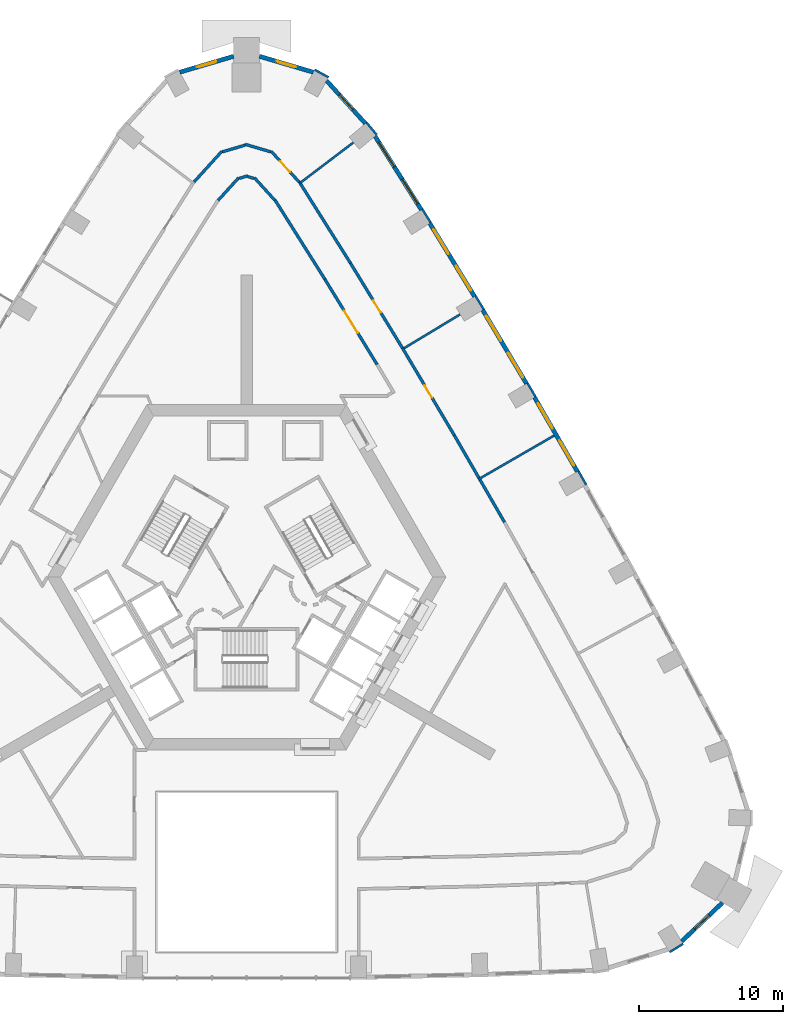
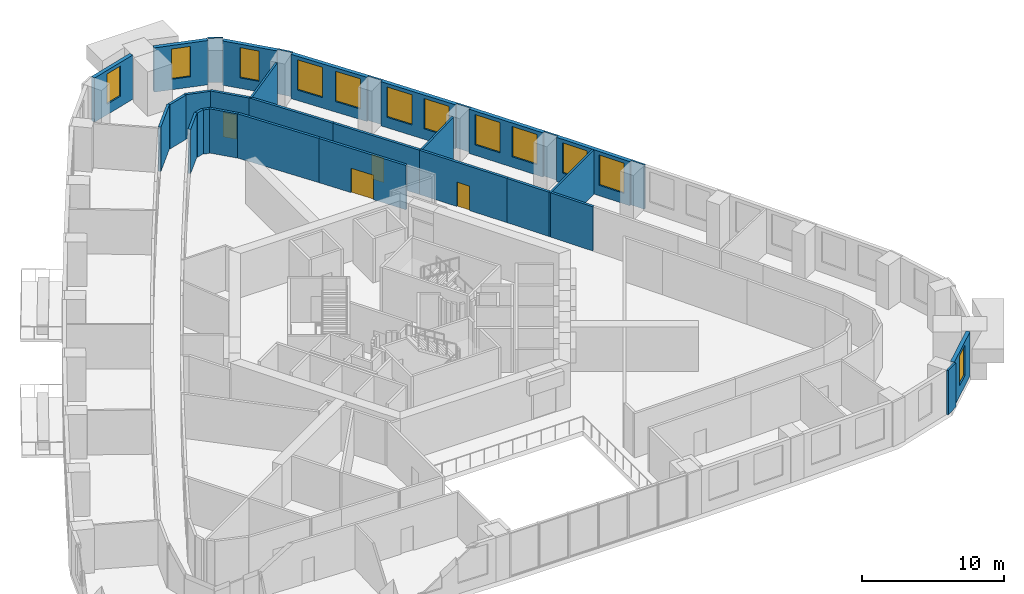
# One storey, part 10 of 15: 33 walls, 12 windows, 4 doors, 16 openings.
"""IFC4 building model written with IfcOpenShell, lengths in metres."""

import ifcopenshell
import ifcopenshell.guid

model = None  # the IFC model being written
_history = None  # IfcOwnerHistory: only IFC2X3 demands one
_inside = {}  # id of a spatial element -> (the spatial element, [elements in it])
_under = {}  # id of a project, library or spatial element -> (it, [spatial elements below it])
_declared = {}  # id of a project -> (the project, [libraries it declares])
_typed = {}  # id of a type object -> (the type object, [elements of that type])
_made_of = {}  # id of a material, layer set ... -> (it, [elements and type objects made of it])


def new_model(schema):
    """Start an empty IFC model of exactly this schema.

    Asked for "IFC4X3", IfcOpenShell would pick the latest addendum, in which some entities
    have other attributes; the version numbers below select the first issue.
    IFC2X3 requires an IfcOwnerHistory on every rooted entity: one is made here for all.
    """
    global model, _history
    if schema == "IFC4X3":
        model = ifcopenshell.file(schema_version=(4, 3, 0, 0))
    else:
        model = ifcopenshell.file(schema=schema)
    _inside.clear()
    _under.clear()
    _declared.clear()
    _typed.clear()
    _made_of.clear()
    _history = None
    if model.schema == "IFC2X3":
        org = make("IfcOrganization", Name="unknown")
        user = make(
            "IfcPersonAndOrganization",
            ThePerson=make("IfcPerson", FamilyName="unknown"),
            TheOrganization=org,
        )
        app = make(
            "IfcApplication",
            ApplicationDeveloper=org,
            Version="unknown",
            ApplicationFullName="unknown",
            ApplicationIdentifier="unknown",
        )
        _history = make(
            "IfcOwnerHistory",
            OwningUser=user,
            OwningApplication=app,
            ChangeAction="ADDED",
            CreationDate=0,
        )
    return model


def make(cls, **values):
    """One entity of the class cls with the attributes given. An attribute that is None is left unset."""
    return model.create_entity(
        cls, **{name: value for name, value in values.items() if value is not None}
    )


def rooted(cls, **values):
    """An entity with a GlobalId (a new one), such as an element, a storey or a relation."""
    return make(cls, GlobalId=ifcopenshell.guid.new(), OwnerHistory=_history, **values)


def si_unit(unit_type, name, prefix=None):
    """IfcSIUnit, for example si_unit("LENGTHUNIT", "METRE", prefix="MILLI")."""
    return make("IfcSIUnit", UnitType=unit_type, Prefix=prefix, Name=name)


def assignment(units):
    """IfcUnitAssignment: the units of a project."""
    return None if units is None else make("IfcUnitAssignment", Units=units)


def point(xyz):
    """IfcCartesianPoint."""
    return None if xyz is None else make("IfcCartesianPoint", Coordinates=xyz)


def direction(xyz):
    """IfcDirection."""
    return None if xyz is None else make("IfcDirection", DirectionRatios=xyz)


def frame(location, z_axis=None, x_axis=None):
    """IfcAxis2Placement3D, a coordinate frame: its origin and axes. An axis left out is left unset."""
    return make(
        "IfcAxis2Placement3D",
        Location=point(location),
        Axis=direction(z_axis),
        RefDirection=direction(x_axis),
    )


def frame_2d(location, x_axis=None):
    """IfcAxis2Placement2D, a coordinate frame in the plane: its origin and x axis."""
    return make(
        "IfcAxis2Placement2D", Location=point(location), RefDirection=direction(x_axis)
    )


def origin():
    """The frame at (0, 0, 0) with its axes left unset."""
    return frame((0.0, 0.0, 0.0))


def place(relative_to, where):
    """IfcLocalPlacement: puts the frame where relative to a parent placement (None: the world)."""
    return make(
        "IfcLocalPlacement", PlacementRelTo=relative_to, RelativePlacement=where
    )


def context(
    kind, dimensions, precision=None, world=None, true_north=None, identifier=None
):
    """IfcGeometricRepresentationContext, for example the 3D "Model" context."""
    return make(
        "IfcGeometricRepresentationContext",
        ContextIdentifier=identifier,
        ContextType=kind,
        CoordinateSpaceDimension=dimensions,
        Precision=precision,
        WorldCoordinateSystem=world,
        TrueNorth=true_north,
    )


def subcontext(parent, identifier, kind, view, scale=None):
    """IfcGeometricRepresentationSubContext, for example "Body" below "Model"."""
    return make(
        "IfcGeometricRepresentationSubContext",
        ContextIdentifier=identifier,
        ContextType=kind,
        ParentContext=parent,
        TargetScale=scale,
        TargetView=view,
    )


def project(units=None, contexts=None):
    """IfcProject with its units and contexts."""
    return rooted(
        "IfcProject",
        Name="project",
        RepresentationContexts=contexts,
        UnitsInContext=assignment(units),
    )


def spatial(cls, under=None, at=None, **own):
    """A site, building, storey or space (cls), placed at a placement, below another one or the project."""
    s = rooted(cls, ObjectPlacement=at, **own)
    if under is not None:
        _under.setdefault(under.id(), (under, []))[1].append(s)
    return s


def profile(cls, at=None, kind="AREA", **sizes):
    """A parametric profile (cls). Its sizes go by their IFC names, for example OverallWidth=200.0."""
    return make(cls, ProfileType=kind, Position=at, **sizes)


def rectangle(**sizes):
    """IfcRectangleProfileDef."""
    return profile("IfcRectangleProfileDef", **sizes)


def extrude(swept, where, along, depth):
    """IfcExtrudedAreaSolid: the profile swept, set in the frame where, extruded along a direction by depth."""
    return make(
        "IfcExtrudedAreaSolid",
        SweptArea=swept,
        Position=where,
        ExtrudedDirection=direction(along),
        Depth=depth,
    )


def shape(context_of_items, identifier, shape_type, items):
    """IfcShapeRepresentation: the items that make up one representation, for example the "Body"."""
    return make(
        "IfcShapeRepresentation",
        ContextOfItems=context_of_items,
        RepresentationIdentifier=identifier,
        RepresentationType=shape_type,
        Items=items,
    )


def material(Name=None, Category=None):
    """IfcMaterial."""
    return make("IfcMaterial", Name=Name, Category=Category)


def layer(
    of_material, thickness, ventilated=None, Name=None, Category=None, Priority=None
):
    """IfcMaterialLayer: one layer of a wall or slab, of a material (None: an air gap)."""
    return make(
        "IfcMaterialLayer",
        Material=of_material,
        LayerThickness=thickness,
        IsVentilated=ventilated,
        Name=Name,
        Category=Category,
        Priority=Priority,
    )


def layer_set(layers, Name=None):
    """IfcMaterialLayerSet."""
    return make("IfcMaterialLayerSet", MaterialLayers=layers, LayerSetName=Name)


def made_of(thing, what):
    """Note that an element or type object is made of a material, layer set ...; save() writes the relation."""
    if what is not None:
        _made_of.setdefault(what.id(), (what, []))[1].append(thing)
    return thing


def type_object(cls, material=None, **own):
    """A type object (cls), such as IfcWallType, which elements share."""
    return made_of(rooted(cls, **own), material)


def element(
    cls,
    number,
    at=None,
    inside=None,
    cuts=None,
    type_object=None,
    material=None,
    context=None,
    identifier="Body",
    shape_type=None,
    held_by="IfcProductDefinitionShape",
    body=None,
    shapes=None,
    **own,
):
    """One element of the class cls, such as IfcWall. Its Tag is "e" and its number.

    at: its placement. inside: the storey or other place that contains it. cuts: it is an
    opening in that element (IfcRelVoidsElement). A single representation is given by context,
    identifier, shape_type and body (its items); several are given by shapes. held_by: the class
    of the entity that holds the representations. save() writes the other relations.
    """
    e = rooted(cls, Tag="e%d" % number, ObjectPlacement=at, **own)
    if body is not None:
        shapes = [shape(context, identifier, shape_type, body)]
    if shapes is not None:
        e.Representation = make(held_by, Representations=shapes)
    if inside is not None:
        _inside.setdefault(inside.id(), (inside, []))[1].append(e)
    if cuts is not None:
        rooted(
            "IfcRelVoidsElement", RelatingBuildingElement=cuts, RelatedOpeningElement=e
        )
    if type_object is not None:
        _typed.setdefault(type_object.id(), (type_object, []))[1].append(e)
    return made_of(e, material)


def fill(opening, filler):
    """IfcRelFillsElement: the door or window that sits in an opening."""
    return rooted(
        "IfcRelFillsElement",
        RelatingOpeningElement=opening,
        RelatedBuildingElement=filler,
    )


def aggregate(whole, parts):
    """IfcRelAggregates: a whole, such as a stair, and the parts it consists of."""
    return rooted("IfcRelAggregates", RelatingObject=whole, RelatedObjects=parts)


def save(model, path):
    """Write the relations noted so far, then the file.

    IfcRelAggregates (storeys below a building ...), IfcRelContainedInSpatialStructure (elements
    in a storey), IfcRelDefinesByType, IfcRelAssociatesMaterial and IfcRelDeclares: one each for
    every whole, place, type object, material and project.
    """
    for whole, parts in _under.values():
        aggregate(whole, parts)
    for where, things in _inside.values():
        rooted(
            "IfcRelContainedInSpatialStructure",
            RelatedElements=things,
            RelatingStructure=where,
        )
    for kind, things in _typed.values():
        rooted("IfcRelDefinesByType", RelatedObjects=things, RelatingType=kind)
    for what, things in _made_of.values():
        rooted("IfcRelAssociatesMaterial", RelatedObjects=things, RelatingMaterial=what)
    for by, libraries in _declared.values():
        rooted("IfcRelDeclares", RelatingContext=by, RelatedDefinitions=libraries)
    model.write(path)


model = new_model("IFC4")

# Units and contexts
model_context = context("Model", 3, precision=1e-05, world=origin(), true_north=direction((0.0, 1.0)))
body_context = subcontext(model_context, "Body", "Model", "MODEL_VIEW")
ifc_project = project(units=[si_unit("LENGTHUNIT", "METRE"), si_unit("AREAUNIT", "SQUARE_METRE"), si_unit("VOLUMEUNIT", "CUBIC_METRE"), si_unit("PLANEANGLEUNIT", "RADIAN"), si_unit("MASSUNIT", "GRAM", prefix="KILO")], contexts=[model_context])

# Site, building, storey
site_placement = place(None, origin())
site = spatial("IfcSite", under=ifc_project, at=site_placement, CompositionType="ELEMENT")
building_placement = place(site_placement, origin())
building = spatial("IfcBuilding", under=site, at=building_placement, Name="Entoto Arch Interchange Tower", CompositionType="ELEMENT")
storey_placement = place(building_placement, frame((0.0, 0.0, 171.800048828125)))
storey = spatial("IfcBuildingStorey", under=building, at=storey_placement, Name="L38", CompositionType="ELEMENT", Elevation=171.800048828125)

# Walls
ifc_material_1 = material(Name="Gypsum board partition on steel studs", Category="steel")
ifc_layer_1 = layer(ifc_material_1, 0.14990234375)
ifc_layer_set_1 = layer_set([ifc_layer_1], Name="Gypsum board partition on steel studs")
wall_type_1 = type_object("IfcWallType", Name="PARTITION 150", PredefinedType="PARTITIONING", material=ifc_layer_set_1)
wall_1_placement = place(storey_placement, frame((16.097900390625, 9.294921875, 0.0), z_axis=(0.0, 0.0, 1.0), x_axis=(0.866109615698, 0.499854112313, 0.0)))
element("IfcWall", 1, at=wall_1_placement, inside=storey, type_object=wall_type_1, Name="wall:L38:p137", PredefinedType="PARTITIONING", context=body_context, shape_type="SweptSolid", body=[
    extrude(rectangle(XDim=6.099853515625, YDim=0.14990234375, at=frame_2d((3.0498046875, 0.0))), origin(), (0.0, 0.0, 1.0), 3.800048828125),
])
wall_2_placement = place(storey_placement, frame((10.95703125, 18.4208984375, 0.0), z_axis=(0.0, 0.0, 1.0), x_axis=(0.85624931053, 0.516562792134, 0.0)))
element("IfcWall", 2, at=wall_2_placement, inside=storey, type_object=wall_type_1, Name="wall:L38:p138", PredefinedType="PARTITIONING", context=body_context, shape_type="SweptSolid", body=[
    extrude(rectangle(XDim=4.530029296875, YDim=0.14990234375, at=frame_2d((2.26513671875, 0.0))), origin(), (0.0, 0.0, 1.0), 3.800048828125),
])
wall_3_placement = place(storey_placement, frame((3.716064453125, 29.89892578125, 0.0), z_axis=(0.0, 0.0, 1.0), x_axis=(0.796435085709, 0.604724031481, 0.0)))
element("IfcWall", 3, at=wall_3_placement, inside=storey, type_object=wall_type_1, Name="wall:L38:p139", PredefinedType="PARTITIONING", context=body_context, shape_type="SweptSolid", body=[
    extrude(rectangle(XDim=4.6533203125, YDim=0.14990234375, at=frame_2d((2.32666015625, 0.0))), origin(), (0.0, 0.0, 1.0), 3.800048828125),
])

# Wall, opening, door
ifc_layer_2 = layer(ifc_material_1, 0.199951171875)
ifc_layer_set_2 = layer_set([ifc_layer_2], Name="Gypsum board partition on steel studs")
wall_type_2 = type_object("IfcWallType", Name="PARTITION 200", PredefinedType="PARTITIONING", material=ifc_layer_set_2)
wall_4_placement = place(storey_placement, frame((9.072998046875, 17.284912109375, 0.0), z_axis=(0.0, 0.0, 1.0), x_axis=(-0.522108536257, 0.85287905143, 0.0)))
wall_4 = element("IfcWall", 4, at=wall_4_placement, inside=storey, type_object=wall_type_2, Name="wall:L38:p009", PredefinedType="PARTITIONING", context=body_context, shape_type="SweptSolid", body=[
    extrude(rectangle(XDim=6.95654296875, YDim=0.199951171875, at=frame_2d((3.478271484375, 0.0))), origin(), (0.0, 0.0, 1.0), 3.800048828125),
])
opening_1_placement = place(wall_4_placement, frame((2.577880859375, 0.0, 0.0)))
opening_1 = element("IfcOpeningElement", 5, at=opening_1_placement, cuts=wall_4, Name="Opening L38-D16", PredefinedType="OPENING", context=body_context, shape_type="SweptSolid", body=[
    extrude(rectangle(XDim=1.800048828125, YDim=2.10009765625, at=frame_2d((0.89990234375, 1.050048828125))), frame((0.0, 0.10986328125, 0.0), z_axis=(0.0, -1.0, 0.0), x_axis=(1.0, 0.0, 0.0)), (0.0, 0.0, 1.0), 0.219970703125),
])
ifc_material_2 = material(Name="Timber door leaf in Steel S235 frame", Category="steel")
door_type_1 = type_object("IfcDoorType", Name="DOOR DD-18 1800x2100", OperationType="DOUBLE_DOOR_SINGLE_SWING", PredefinedType="DOOR", material=ifc_material_2)
door_1_placement = place(opening_1_placement, origin())
door_1 = element("IfcDoor", 6, at=door_1_placement, inside=storey, type_object=door_type_1, Name="door:L38:16", OperationType="DOUBLE_DOOR_SINGLE_SWING", OverallHeight=2.10009765625, OverallWidth=1.800048828125, PredefinedType="DOOR", context=body_context, shape_type="SweptSolid", body=[
    extrude(rectangle(XDim=1.800048828125, YDim=2.10009765625, at=frame_2d((0.89990234375, 1.050048828125))), frame((0.0, 0.02490234375, 0.0), z_axis=(0.0, -1.0, 0.0), x_axis=(1.0, 0.0, 0.0)), (0.0, 0.0, 1.0), 0.050048828125),
])
fill(opening_1, door_1)

# Walls
wall_5_placement = place(storey_placement, frame((5.44091796875, 23.218017578125, 0.0), z_axis=(0.0, 0.0, 1.0), x_axis=(-0.532786324951, 0.846249804694, 0.0)))
element("IfcWall", 7, at=wall_5_placement, inside=storey, type_object=wall_type_2, Name="wall:L38:p010", PredefinedType="PARTITIONING", context=body_context, shape_type="SweptSolid", body=[
    extrude(rectangle(XDim=6.488525390625, YDim=0.199951171875, at=frame_2d((3.244140625, 0.0))), origin(), (0.0, 0.0, 1.0), 3.800048828125),
])
wall_6_placement = place(storey_placement, frame((1.969970703125, 28.697998046875, 0.0), z_axis=(0.0, 0.0, 1.0), x_axis=(-0.671753081184, 0.740775133168, 0.0)))
element("IfcWall", 8, at=wall_6_placement, inside=storey, type_object=wall_type_2, Name="wall:L38:p011", PredefinedType="PARTITIONING", context=body_context, shape_type="SweptSolid", body=[
    extrude(rectangle(XDim=2.115234375, YDim=0.199951171875, at=frame_2d((1.0576171875, 0.0))), origin(), (0.0, 0.0, 1.0), 3.800048828125),
])
wall_7_placement = place(storey_placement, frame((0.52001953125, 30.218994140625, 0.0), z_axis=(0.0, 0.0, 1.0), x_axis=(-0.959198261843, 0.282734317826, 0.0)))
element("IfcWall", 9, at=wall_7_placement, inside=storey, type_object=wall_type_2, Name="wall:L38:p012", PredefinedType="PARTITIONING", context=body_context, shape_type="SweptSolid", body=[
    extrude(rectangle(XDim=0.442138671875, YDim=0.199951171875, at=frame_2d((0.22119140625, 0.0))), origin(), (0.0, 0.0, 1.0), 3.800048828125),
])
wall_8_placement = place(storey_placement, frame((0.095947265625, 30.40087890625, 0.0), z_axis=(0.0, 0.0, 1.0), x_axis=(-0.959062300239, -0.283195169908, 0.0)))
element("IfcWall", 10, at=wall_8_placement, inside=storey, type_object=wall_type_2, Name="wall:L38:p013", PredefinedType="PARTITIONING", context=body_context, shape_type="SweptSolid", body=[
    extrude(rectangle(XDim=0.642333984375, YDim=0.199951171875, at=frame_2d((0.3212890625, 0.0))), origin(), (0.0, 0.0, 1.0), 3.800048828125),
])
wall_9_placement = place(storey_placement, frame((-0.549072265625, 30.264892578125, 0.0), z_axis=(0.0, 0.0, 1.0), x_axis=(-0.671753081184, -0.740775133168, 0.0)))
element("IfcWall", 11, at=wall_9_placement, inside=storey, type_object=wall_type_2, Name="wall:L38:p014", PredefinedType="PARTITIONING", context=body_context, shape_type="SweptSolid", body=[
    extrude(rectangle(XDim=2.115234375, YDim=0.199951171875, at=frame_2d((1.0576171875, 0.0))), origin(), (0.0, 0.0, 1.0), 3.800048828125),
])
wall_10_placement = place(storey_placement, frame((16.221923828125, 9.280029296875, 0.0), z_axis=(0.0, 0.0, 1.0), x_axis=(0.499920397431, -0.866071357471, 0.0)))
element("IfcWall", 12, at=wall_10_placement, inside=storey, type_object=wall_type_2, Name="wall:L38:p052", PredefinedType="PARTITIONING", context=body_context, shape_type="SweptSolid", body=[
    extrude(rectangle(XDim=3.41650390625, YDim=0.199951171875, at=frame_2d((1.708251953125, 0.0))), origin(), (0.0, 0.0, 1.0), 3.800048828125),
])

# Wall, opening, door
wall_11_placement = place(storey_placement, frame((10.8330078125, 18.43408203125, 0.0), z_axis=(0.0, 0.0, 1.0), x_axis=(0.510975915649, -0.859595028852, 0.0)))
wall_11 = element("IfcWall", 13, at=wall_11_placement, inside=storey, type_object=wall_type_2, Name="wall:L38:p055", PredefinedType="PARTITIONING", context=body_context, shape_type="SweptSolid", body=[
    extrude(rectangle(XDim=7.056884765625, YDim=0.199951171875, at=frame_2d((3.5283203125, 0.0))), origin(), (0.0, 0.0, 1.0), 3.800048828125),
])
opening_2_placement = place(wall_11_placement, frame((3.028076171875, 0.0, 0.0)))
opening_2 = element("IfcOpeningElement", 14, at=opening_2_placement, cuts=wall_11, Name="Opening L38-D05", PredefinedType="OPENING", context=body_context, shape_type="SweptSolid", body=[
    extrude(rectangle(XDim=1.0, YDim=2.10009765625, at=frame_2d((0.5, 1.050048828125))), frame((0.0, 0.10986328125, 0.0), z_axis=(0.0, -1.0, 0.0), x_axis=(1.0, 0.0, 0.0)), (0.0, 0.0, 1.0), 0.219970703125),
])
door_type_2 = type_object("IfcDoorType", Name="DOOR DS-10 1000x2100", OperationType="SINGLE_SWING_LEFT", PredefinedType="DOOR", material=ifc_material_2)
door_2_placement = place(opening_2_placement, origin())
door_2 = element("IfcDoor", 15, at=door_2_placement, inside=storey, type_object=door_type_2, Name="door:L38:05", OperationType="SINGLE_SWING_LEFT", OverallHeight=2.10009765625, OverallWidth=1.0, PredefinedType="DOOR", context=body_context, shape_type="SweptSolid", body=[
    extrude(rectangle(XDim=1.0, YDim=2.10009765625, at=frame_2d((0.5, 1.050048828125))), frame((0.0, 0.02490234375, 0.0), z_axis=(0.0, -1.0, 0.0), x_axis=(1.0, 0.0, 0.0)), (0.0, 0.0, 1.0), 0.050048828125),
])
fill(opening_2, door_2)

# Walls
wall_12_placement = place(storey_placement, frame((14.43896484375, 12.367919921875, 0.0), z_axis=(0.0, 0.0, 1.0), x_axis=(0.500044178772, -0.865999895656, 0.0)))
element("IfcWall", 16, at=wall_12_placement, inside=storey, type_object=wall_type_2, Name="wall:L38:p056", PredefinedType="PARTITIONING", context=body_context, shape_type="SweptSolid", body=[
    extrude(rectangle(XDim=3.415771484375, YDim=0.199951171875, at=frame_2d((1.7080078125, 0.0))), origin(), (0.0, 0.0, 1.0), 3.800048828125),
])
wall_13_placement = place(storey_placement, frame((3.6630859375, 29.98388671875, 0.0), z_axis=(0.0, 0.0, 1.0), x_axis=(0.532874279134, -0.846194423662, 0.0)))
element("IfcWall", 17, at=wall_13_placement, inside=storey, type_object=wall_type_2, Name="wall:L38:p057", PredefinedType="PARTITIONING", context=body_context, shape_type="SweptSolid", body=[
    extrude(rectangle(XDim=6.686279296875, YDim=0.199951171875, at=frame_2d((3.34326171875, 0.0))), origin(), (0.0, 0.0, 1.0), 3.800048828125),
])

# Wall, opening, door
wall_14_placement = place(storey_placement, frame((7.22607421875, 24.325927734375, 0.0), z_axis=(0.0, 0.0, 1.0), x_axis=(0.52212028524, -0.852871858922, 0.0)))
wall_14 = element("IfcWall", 18, at=wall_14_placement, inside=storey, type_object=wall_type_2, Name="wall:L38:p058", PredefinedType="PARTITIONING", context=body_context, shape_type="SweptSolid", body=[
    extrude(rectangle(XDim=6.908203125, YDim=0.199951171875, at=frame_2d((3.4541015625, 0.0))), origin(), (0.0, 0.0, 1.0), 3.800048828125),
])
opening_3_placement = place(wall_14_placement, frame((3.029052734375, 0.0, 0.0)))
opening_3 = element("IfcOpeningElement", 19, at=opening_3_placement, cuts=wall_14, Name="Opening L38-D06", PredefinedType="OPENING", context=body_context, shape_type="SweptSolid", body=[
    extrude(rectangle(XDim=1.0, YDim=2.10009765625, at=frame_2d((0.5, 1.050048828125))), frame((0.0, 0.10986328125, 0.0), z_axis=(0.0, -1.0, 0.0), x_axis=(1.0, 0.0, 0.0)), (0.0, 0.0, 1.0), 0.219970703125),
])
door_3_placement = place(opening_3_placement, origin())
door_3 = element("IfcDoor", 20, at=door_3_placement, inside=storey, type_object=door_type_2, Name="door:L38:06", OperationType="SINGLE_SWING_RIGHT", OverallHeight=2.10009765625, OverallWidth=1.0, PredefinedType="DOOR", context=body_context, shape_type="SweptSolid", body=[
    extrude(rectangle(XDim=1.0, YDim=2.10009765625, at=frame_2d((0.5, 1.050048828125))), frame((0.0, 0.02490234375, 0.0), z_axis=(0.0, -1.0, 0.0), x_axis=(1.0, 0.0, 0.0)), (0.0, 0.0, 1.0), 0.050048828125),
])
fill(opening_3, door_3)

# Walls
wall_15_placement = place(storey_placement, frame((-1.678955078125, 32.06591796875, 0.0), z_axis=(0.0, 0.0, 1.0), x_axis=(0.958966543129, 0.283519257122, 0.0)))
element("IfcWall", 21, at=wall_15_placement, inside=storey, type_object=wall_type_2, Name="wall:L38:p059", PredefinedType="PARTITIONING", context=body_context, shape_type="SweptSolid", body=[
    extrude(rectangle(XDim=1.650634765625, YDim=0.199951171875, at=frame_2d((0.8251953125, 0.0))), origin(), (0.0, 0.0, 1.0), 3.800048828125),
])
wall_16_placement = place(storey_placement, frame((-0.095947265625, 32.590087890625, 0.0), z_axis=(0.0, 0.0, 1.0), x_axis=(0.959051918564, -0.283230325881, 0.0)))
element("IfcWall", 22, at=wall_16_placement, inside=storey, type_object=wall_type_2, Name="wall:L38:p060", PredefinedType="PARTITIONING", context=body_context, shape_type="SweptSolid", body=[
    extrude(rectangle(XDim=1.8505859375, YDim=0.199951171875, at=frame_2d((0.92529296875, 0.0))), origin(), (0.0, 0.0, 1.0), 3.800048828125),
])

# Wall, opening, door
wall_17_placement = place(storey_placement, frame((1.7080078125, 32.112060546875, 0.0), z_axis=(0.0, 0.0, 1.0), x_axis=(0.671957285765, -0.740589904135, 0.0)))
wall_17 = element("IfcWall", 23, at=wall_17_placement, inside=storey, type_object=wall_type_2, Name="wall:L38:p061", PredefinedType="PARTITIONING", context=body_context, shape_type="SweptSolid", body=[
    extrude(rectangle(XDim=2.888427734375, YDim=0.199951171875, at=frame_2d((1.4443359375, 0.0))), origin(), (0.0, 0.0, 1.0), 3.800048828125),
])
opening_4_placement = place(wall_17_placement, frame((0.944091796875, 0.0, 0.0)))
opening_4 = element("IfcOpeningElement", 24, at=opening_4_placement, cuts=wall_17, Name="Opening L38-D07", PredefinedType="OPENING", context=body_context, shape_type="SweptSolid", body=[
    extrude(rectangle(XDim=1.0, YDim=2.10009765625, at=frame_2d((0.5, 1.050048828125))), frame((0.0, 0.10986328125, 0.0), z_axis=(0.0, -1.0, 0.0), x_axis=(1.0, 0.0, 0.0)), (0.0, 0.0, 1.0), 0.219970703125),
])
door_4_placement = place(opening_4_placement, origin())
door_4 = element("IfcDoor", 25, at=door_4_placement, inside=storey, type_object=door_type_2, Name="door:L38:07", OperationType="SINGLE_SWING_LEFT", OverallHeight=2.10009765625, OverallWidth=1.0, PredefinedType="DOOR", context=body_context, shape_type="SweptSolid", body=[
    extrude(rectangle(XDim=1.0, YDim=2.10009765625, at=frame_2d((0.5, 1.050048828125))), frame((0.0, 0.02490234375, 0.0), z_axis=(0.0, -1.0, 0.0), x_axis=(1.0, 0.0, 0.0)), (0.0, 0.0, 1.0), 0.050048828125),
])
fill(opening_4, door_4)

# Wall
wall_18_placement = place(storey_placement, frame((-3.64892578125, 29.972900390625, 0.0), z_axis=(0.0, 0.0, 1.0), x_axis=(0.671957285765, 0.740589904135, 0.0)))
element("IfcWall", 26, at=wall_18_placement, inside=storey, type_object=wall_type_2, Name="wall:L38:p062", PredefinedType="PARTITIONING", context=body_context, shape_type="SweptSolid", body=[
    extrude(rectangle(XDim=2.888427734375, YDim=0.199951171875, at=frame_2d((1.4443359375, 0.0))), origin(), (0.0, 0.0, 1.0), 3.800048828125),
])

# Wall, opening, window
ifc_material_3 = material(Name="Welded tuff (ignimbrite) cladding, warm buff", Category="masonry")
ifc_layer_3 = layer(ifc_material_3, 0.300048828125)
ifc_layer_set_3 = layer_set([ifc_layer_3], Name="Welded tuff (ignimbrite) cladding, warm buff")
wall_type_3 = type_object("IfcWallType", Name="STONE INFILL WALL 300", PredefinedType="STANDARD", material=ifc_layer_set_3)
wall_19_placement = place(storey_placement, frame((30.24609375, -22.821044921875, 0.0), z_axis=(0.0, 0.0, 1.0), x_axis=(0.724807239831, 0.688951714628, 0.0)))
wall_19 = element("IfcWall", 27, at=wall_19_placement, inside=storey, type_object=wall_type_3, Name="Facade wall SE-02 L38", PredefinedType="STANDARD", context=body_context, shape_type="SweptSolid", body=[
    extrude(rectangle(XDim=3.901611328125, YDim=0.300048828125, at=frame_2d((1.95068359375, 0.0))), origin(), (0.0, 0.0, 1.0), 3.800048828125),
])
opening_5_placement = place(wall_19_placement, frame((1.2509765625, 0.0, 0.89990234375)))
opening_5 = element("IfcOpeningElement", 28, at=opening_5_placement, cuts=wall_19, Name="Opening WO-B", PredefinedType="OPENING", context=body_context, shape_type="SweptSolid", body=[
    extrude(rectangle(XDim=1.39990234375, YDim=2.60009765625, at=frame_2d((0.699951171875, 1.300048828125))), frame((0.0, 0.16015625, 0.0), z_axis=(0.0, -1.0, 0.0), x_axis=(1.0, 0.0, 0.0)), (0.0, 0.0, 1.0), 0.320068359375),
])
ifc_material_4 = material(Name="Clear glass, low-e double glazed", Category="glass")
window_type_1 = type_object("IfcWindowType", Name="WINDOW WO-B 1400x2600", PartitioningType="DOUBLE_PANEL_VERTICAL", PredefinedType="WINDOW", material=ifc_material_4)
window_1_placement = place(opening_5_placement, origin())
window_1 = element("IfcWindow", 29, at=window_1_placement, inside=storey, type_object=window_type_1, Name="Window WO-B SE-02 L38", OverallHeight=2.60009765625, OverallWidth=1.39990234375, PartitioningType="SINGLE_PANEL", PredefinedType="WINDOW", context=body_context, shape_type="SweptSolid", body=[
    extrude(rectangle(XDim=1.39990234375, YDim=2.60009765625, at=frame_2d((0.699951171875, 1.300048828125))), frame((0.0, 0.030029296875, 0.0), z_axis=(0.0, -1.0, 0.0), x_axis=(1.0, 0.0, 0.0)), (0.0, 0.0, 1.0), 0.06005859375),
])
fill(opening_5, window_1)

# Wall, openings, windows
wall_20_placement = place(storey_placement, frame((23.0009765625, 9.8369140625, 0.0), z_axis=(0.0, 0.0, 1.0), x_axis=(-0.49986421087, 0.866103787482, 0.0)))
wall_20 = element("IfcWall", 30, at=wall_20_placement, inside=storey, type_object=wall_type_3, Name="Facade wall NE-04 L38", PredefinedType="STANDARD", context=body_context, shape_type="SweptSolid", body=[
    extrude(rectangle(XDim=5.963623046875, YDim=0.300048828125, at=frame_2d((2.98193359375, 0.0))), origin(), (0.0, 0.0, 1.0), 3.800048828125),
])
opening_6_placement = place(wall_20_placement, frame((0.490966796875, 0.0, 0.89990234375)))
opening_6 = element("IfcOpeningElement", 31, at=opening_6_placement, cuts=wall_20, Name="Opening WO-C", PredefinedType="OPENING", context=body_context, shape_type="SweptSolid", body=[
    extrude(rectangle(XDim=2.0, YDim=2.60009765625, at=frame_2d((1.0, 1.300048828125))), frame((0.0, 0.16015625, 0.0), z_axis=(0.0, -1.0, 0.0), x_axis=(1.0, 0.0, 0.0)), (0.0, 0.0, 1.0), 0.320068359375),
])
opening_7_placement = place(wall_20_placement, frame((3.472900390625, 0.0, 0.89990234375)))
opening_7 = element("IfcOpeningElement", 32, at=opening_7_placement, cuts=wall_20, Name="Opening WO-C", PredefinedType="OPENING", context=body_context, shape_type="SweptSolid", body=[
    extrude(rectangle(XDim=2.0, YDim=2.60009765625, at=frame_2d((1.0, 1.300048828125))), frame((0.0, 0.16015625, 0.0), z_axis=(0.0, -1.0, 0.0), x_axis=(1.0, 0.0, 0.0)), (0.0, 0.0, 1.0), 0.320068359375),
])
window_type_2 = type_object("IfcWindowType", Name="WINDOW WO-C 2000x2600", PartitioningType="DOUBLE_PANEL_VERTICAL", PredefinedType="WINDOW", material=ifc_material_4)
window_2_placement = place(opening_6_placement, origin())
window_2 = element("IfcWindow", 33, at=window_2_placement, inside=storey, type_object=window_type_2, Name="Window WO-C NE-04 L38", OverallHeight=2.60009765625, OverallWidth=2.0, PartitioningType="SINGLE_PANEL", PredefinedType="WINDOW", context=body_context, shape_type="SweptSolid", body=[
    extrude(rectangle(XDim=2.0, YDim=2.60009765625, at=frame_2d((1.0, 1.300048828125))), frame((0.0, 0.030029296875, 0.0), z_axis=(0.0, -1.0, 0.0), x_axis=(1.0, 0.0, 0.0)), (0.0, 0.0, 1.0), 0.06005859375),
])
fill(opening_6, window_2)
window_3_placement = place(opening_7_placement, origin())
window_3 = element("IfcWindow", 34, at=window_3_placement, inside=storey, type_object=window_type_2, Name="Window WO-C NE-04 L38", OverallHeight=2.60009765625, OverallWidth=2.0, PartitioningType="SINGLE_PANEL", PredefinedType="WINDOW", context=body_context, shape_type="SweptSolid", body=[
    extrude(rectangle(XDim=2.0, YDim=2.60009765625, at=frame_2d((1.0, 1.300048828125))), frame((0.0, 0.030029296875, 0.0), z_axis=(0.0, -1.0, 0.0), x_axis=(1.0, 0.0, 0.0)), (0.0, 0.0, 1.0), 0.06005859375),
])
fill(opening_7, window_3)

wall_21_placement = place(storey_placement, frame((19.465087890625, 15.948974609375, 0.0), z_axis=(0.0, 0.0, 1.0), x_axis=(-0.511053317394, 0.8595490136, 0.0)))
wall_21 = element("IfcWall", 35, at=wall_21_placement, inside=storey, type_object=wall_type_3, Name="Facade wall NE-05 L38", PredefinedType="STANDARD", context=body_context, shape_type="SweptSolid", body=[
    extrude(rectangle(XDim=5.96240234375, YDim=0.300048828125, at=frame_2d((2.981201171875, 0.0))), origin(), (0.0, 0.0, 1.0), 3.800048828125),
])
opening_8_placement = place(wall_21_placement, frame((0.490966796875, 0.0, 0.89990234375)))
opening_8 = element("IfcOpeningElement", 36, at=opening_8_placement, cuts=wall_21, Name="Opening WO-C", PredefinedType="OPENING", context=body_context, shape_type="SweptSolid", body=[
    extrude(rectangle(XDim=2.0, YDim=2.60009765625, at=frame_2d((1.0, 1.300048828125))), frame((0.0, 0.16015625, 0.0), z_axis=(0.0, -1.0, 0.0), x_axis=(1.0, 0.0, 0.0)), (0.0, 0.0, 1.0), 0.320068359375),
])
opening_9_placement = place(wall_21_placement, frame((3.471923828125, 0.0, 0.89990234375)))
opening_9 = element("IfcOpeningElement", 37, at=opening_9_placement, cuts=wall_21, Name="Opening WO-C", PredefinedType="OPENING", context=body_context, shape_type="SweptSolid", body=[
    extrude(rectangle(XDim=2.0, YDim=2.60009765625, at=frame_2d((1.0, 1.300048828125))), frame((0.0, 0.16015625, 0.0), z_axis=(0.0, -1.0, 0.0), x_axis=(1.0, 0.0, 0.0)), (0.0, 0.0, 1.0), 0.320068359375),
])
window_4_placement = place(opening_8_placement, origin())
window_4 = element("IfcWindow", 38, at=window_4_placement, inside=storey, type_object=window_type_2, Name="Window WO-C NE-05 L38", OverallHeight=2.60009765625, OverallWidth=2.0, PartitioningType="SINGLE_PANEL", PredefinedType="WINDOW", context=body_context, shape_type="SweptSolid", body=[
    extrude(rectangle(XDim=2.0, YDim=2.60009765625, at=frame_2d((1.0, 1.300048828125))), frame((0.0, 0.030029296875, 0.0), z_axis=(0.0, -1.0, 0.0), x_axis=(1.0, 0.0, 0.0)), (0.0, 0.0, 1.0), 0.06005859375),
])
fill(opening_8, window_4)
window_5_placement = place(opening_9_placement, origin())
window_5 = element("IfcWindow", 39, at=window_5_placement, inside=storey, type_object=window_type_2, Name="Window WO-C NE-05 L38", OverallHeight=2.60009765625, OverallWidth=2.0, PartitioningType="SINGLE_PANEL", PredefinedType="WINDOW", context=body_context, shape_type="SweptSolid", body=[
    extrude(rectangle(XDim=2.0, YDim=2.60009765625, at=frame_2d((1.0, 1.300048828125))), frame((0.0, 0.030029296875, 0.0), z_axis=(0.0, -1.0, 0.0), x_axis=(1.0, 0.0, 0.0)), (0.0, 0.0, 1.0), 0.06005859375),
])
fill(opening_9, window_5)

wall_22_placement = place(storey_placement, frame((15.85107421875, 22.014892578125, 0.0), z_axis=(0.0, 0.0, 1.0), x_axis=(-0.522156898008, 0.852849443842, 0.0)))
wall_22 = element("IfcWall", 40, at=wall_22_placement, inside=storey, type_object=wall_type_3, Name="Facade wall NE-06 L38", PredefinedType="STANDARD", context=body_context, shape_type="SweptSolid", body=[
    extrude(rectangle(XDim=5.9638671875, YDim=0.300048828125, at=frame_2d((2.98193359375, 0.0))), origin(), (0.0, 0.0, 1.0), 3.800048828125),
])
opening_10_placement = place(wall_22_placement, frame((0.490966796875, 0.0, 0.89990234375)))
opening_10 = element("IfcOpeningElement", 41, at=opening_10_placement, cuts=wall_22, Name="Opening WO-C", PredefinedType="OPENING", context=body_context, shape_type="SweptSolid", body=[
    extrude(rectangle(XDim=2.0, YDim=2.60009765625, at=frame_2d((1.0, 1.300048828125))), frame((0.0, 0.16015625, 0.0), z_axis=(0.0, -1.0, 0.0), x_axis=(1.0, 0.0, 0.0)), (0.0, 0.0, 1.0), 0.320068359375),
])
opening_11_placement = place(wall_22_placement, frame((3.472900390625, 0.0, 0.89990234375)))
opening_11 = element("IfcOpeningElement", 42, at=opening_11_placement, cuts=wall_22, Name="Opening WO-C", PredefinedType="OPENING", context=body_context, shape_type="SweptSolid", body=[
    extrude(rectangle(XDim=2.0, YDim=2.60009765625, at=frame_2d((1.0, 1.300048828125))), frame((0.0, 0.16015625, 0.0), z_axis=(0.0, -1.0, 0.0), x_axis=(1.0, 0.0, 0.0)), (0.0, 0.0, 1.0), 0.320068359375),
])
window_6_placement = place(opening_10_placement, origin())
window_6 = element("IfcWindow", 43, at=window_6_placement, inside=storey, type_object=window_type_2, Name="Window WO-C NE-06 L38", OverallHeight=2.60009765625, OverallWidth=2.0, PartitioningType="SINGLE_PANEL", PredefinedType="WINDOW", context=body_context, shape_type="SweptSolid", body=[
    extrude(rectangle(XDim=2.0, YDim=2.60009765625, at=frame_2d((1.0, 1.300048828125))), frame((0.0, 0.030029296875, 0.0), z_axis=(0.0, -1.0, 0.0), x_axis=(1.0, 0.0, 0.0)), (0.0, 0.0, 1.0), 0.06005859375),
])
fill(opening_10, window_6)
window_7_placement = place(opening_11_placement, origin())
window_7 = element("IfcWindow", 44, at=window_7_placement, inside=storey, type_object=window_type_2, Name="Window WO-C NE-06 L38", OverallHeight=2.60009765625, OverallWidth=2.0, PartitioningType="SINGLE_PANEL", PredefinedType="WINDOW", context=body_context, shape_type="SweptSolid", body=[
    extrude(rectangle(XDim=2.0, YDim=2.60009765625, at=frame_2d((1.0, 1.300048828125))), frame((0.0, 0.030029296875, 0.0), z_axis=(0.0, -1.0, 0.0), x_axis=(1.0, 0.0, 0.0)), (0.0, 0.0, 1.0), 0.06005859375),
])
fill(opening_11, window_7)

wall_23_placement = place(storey_placement, frame((12.157958984375, 28.033935546875, 0.0), z_axis=(0.0, 0.0, 1.0), x_axis=(-0.532721310512, 0.846290733334, 0.0)))
wall_23 = element("IfcWall", 45, at=wall_23_placement, inside=storey, type_object=wall_type_3, Name="Facade wall NE-07 L38", PredefinedType="STANDARD", context=body_context, shape_type="SweptSolid", body=[
    extrude(rectangle(XDim=6.055908203125, YDim=0.300048828125, at=frame_2d((3.02783203125, 0.0))), origin(), (0.0, 0.0, 1.0), 3.800048828125),
])
opening_12_placement = place(wall_23_placement, frame((0.513916015625, 0.0, 0.89990234375)))
opening_12 = element("IfcOpeningElement", 46, at=opening_12_placement, cuts=wall_23, Name="Opening WO-C", PredefinedType="OPENING", context=body_context, shape_type="SweptSolid", body=[
    extrude(rectangle(XDim=2.0, YDim=2.60009765625, at=frame_2d((1.0, 1.300048828125))), frame((0.0, 0.16015625, 0.0), z_axis=(0.0, -1.0, 0.0), x_axis=(1.0, 0.0, 0.0)), (0.0, 0.0, 1.0), 0.320068359375),
])
opening_13_placement = place(wall_23_placement, frame((3.5419921875, 0.0, 0.89990234375)))
opening_13 = element("IfcOpeningElement", 47, at=opening_13_placement, cuts=wall_23, Name="Opening WO-C", PredefinedType="OPENING", context=body_context, shape_type="SweptSolid", body=[
    extrude(rectangle(XDim=2.0, YDim=2.60009765625, at=frame_2d((1.0, 1.300048828125))), frame((0.0, 0.16015625, 0.0), z_axis=(0.0, -1.0, 0.0), x_axis=(1.0, 0.0, 0.0)), (0.0, 0.0, 1.0), 0.320068359375),
])
window_8_placement = place(opening_12_placement, origin())
window_8 = element("IfcWindow", 48, at=window_8_placement, inside=storey, type_object=window_type_2, Name="Window WO-C NE-07 L38", OverallHeight=2.60009765625, OverallWidth=2.0, PartitioningType="SINGLE_PANEL", PredefinedType="WINDOW", context=body_context, shape_type="SweptSolid", body=[
    extrude(rectangle(XDim=2.0, YDim=2.60009765625, at=frame_2d((1.0, 1.300048828125))), frame((0.0, 0.030029296875, 0.0), z_axis=(0.0, -1.0, 0.0), x_axis=(1.0, 0.0, 0.0)), (0.0, 0.0, 1.0), 0.06005859375),
])
fill(opening_12, window_8)
window_9_placement = place(opening_13_placement, origin())
window_9 = element("IfcWindow", 49, at=window_9_placement, inside=storey, type_object=window_type_2, Name="Window WO-C NE-07 L38", OverallHeight=2.60009765625, OverallWidth=2.0, PartitioningType="SINGLE_PANEL", PredefinedType="WINDOW", context=body_context, shape_type="SweptSolid", body=[
    extrude(rectangle(XDim=2.0, YDim=2.60009765625, at=frame_2d((1.0, 1.300048828125))), frame((0.0, 0.030029296875, 0.0), z_axis=(0.0, -1.0, 0.0), x_axis=(1.0, 0.0, 0.0)), (0.0, 0.0, 1.0), 0.06005859375),
])
fill(opening_13, window_9)

# Wall, opening, window
wall_24_placement = place(storey_placement, frame((8.26806640625, 34.034912109375, 0.0), z_axis=(0.0, 0.0, 1.0), x_axis=(-0.672034341329, 0.740519982225, 0.0)))
wall_24 = element("IfcWall", 50, at=wall_24_placement, inside=storey, type_object=wall_type_3, Name="Facade wall N-01 L38", PredefinedType="STANDARD", context=body_context, shape_type="SweptSolid", body=[
    extrude(rectangle(XDim=4.017578125, YDim=0.300048828125, at=frame_2d((2.0087890625, 0.0))), origin(), (0.0, 0.0, 1.0), 3.800048828125),
])
opening_14_placement = place(wall_24_placement, frame((1.30908203125, 0.0, 0.89990234375)))
opening_14 = element("IfcOpeningElement", 51, at=opening_14_placement, cuts=wall_24, Name="Opening WO-B", PredefinedType="OPENING", context=body_context, shape_type="SweptSolid", body=[
    extrude(rectangle(XDim=1.39990234375, YDim=2.60009765625, at=frame_2d((0.699951171875, 1.300048828125))), frame((0.0, 0.16015625, 0.0), z_axis=(0.0, -1.0, 0.0), x_axis=(1.0, 0.0, 0.0)), (0.0, 0.0, 1.0), 0.320068359375),
])
window_10_placement = place(opening_14_placement, origin())
window_10 = element("IfcWindow", 52, at=window_10_placement, inside=storey, type_object=window_type_1, Name="Window WO-B N-01 L38", OverallHeight=2.60009765625, OverallWidth=1.39990234375, PartitioningType="SINGLE_PANEL", PredefinedType="WINDOW", context=body_context, shape_type="SweptSolid", body=[
    extrude(rectangle(XDim=1.39990234375, YDim=2.60009765625, at=frame_2d((0.699951171875, 1.300048828125))), frame((0.0, 0.030029296875, 0.0), z_axis=(0.0, -1.0, 0.0), x_axis=(1.0, 0.0, 0.0)), (0.0, 0.0, 1.0), 0.06005859375),
])
fill(opening_14, window_10)

wall_25_placement = place(storey_placement, frame((4.64111328125, 37.60400390625, 0.0), z_axis=(0.0, 0.0, 1.0), x_axis=(-0.959064064953, 0.283189193501, 0.0)))
wall_25 = element("IfcWall", 53, at=wall_25_placement, inside=storey, type_object=wall_type_3, Name="Facade wall N-02 L38", PredefinedType="STANDARD", context=body_context, shape_type="SweptSolid", body=[
    extrude(rectangle(XDim=3.90185546875, YDim=0.300048828125, at=frame_2d((1.950927734375, 0.0))), origin(), (0.0, 0.0, 1.0), 3.800048828125),
])
opening_15_placement = place(wall_25_placement, frame((1.2509765625, 0.0, 0.89990234375)))
opening_15 = element("IfcOpeningElement", 54, at=opening_15_placement, cuts=wall_25, Name="Opening WO-B", PredefinedType="OPENING", context=body_context, shape_type="SweptSolid", body=[
    extrude(rectangle(XDim=1.39990234375, YDim=2.60009765625, at=frame_2d((0.699951171875, 1.300048828125))), frame((0.0, 0.16015625, 0.0), z_axis=(0.0, -1.0, 0.0), x_axis=(1.0, 0.0, 0.0)), (0.0, 0.0, 1.0), 0.320068359375),
])
window_11_placement = place(opening_15_placement, origin())
window_11 = element("IfcWindow", 55, at=window_11_placement, inside=storey, type_object=window_type_1, Name="Window WO-B N-02 L38", OverallHeight=2.60009765625, OverallWidth=1.39990234375, PartitioningType="SINGLE_PANEL", PredefinedType="WINDOW", context=body_context, shape_type="SweptSolid", body=[
    extrude(rectangle(XDim=1.39990234375, YDim=2.60009765625, at=frame_2d((0.699951171875, 1.300048828125))), frame((0.0, 0.030029296875, 0.0), z_axis=(0.0, -1.0, 0.0), x_axis=(1.0, 0.0, 0.0)), (0.0, 0.0, 1.0), 0.06005859375),
])
fill(opening_15, window_11)

wall_26_placement = place(storey_placement, frame((-0.89892578125, 38.708984375, 0.0), z_axis=(0.0, 0.0, 1.0), x_axis=(-0.959064064953, -0.283189193501, 0.0)))
wall_26 = element("IfcWall", 56, at=wall_26_placement, inside=storey, type_object=wall_type_3, Name="Facade wall N-03 L38", PredefinedType="STANDARD", context=body_context, shape_type="SweptSolid", body=[
    extrude(rectangle(XDim=3.90185546875, YDim=0.300048828125, at=frame_2d((1.950927734375, 0.0))), origin(), (0.0, 0.0, 1.0), 3.800048828125),
])
opening_16_placement = place(wall_26_placement, frame((1.2509765625, 0.0, 0.89990234375)))
opening_16 = element("IfcOpeningElement", 57, at=opening_16_placement, cuts=wall_26, Name="Opening WO-B", PredefinedType="OPENING", context=body_context, shape_type="SweptSolid", body=[
    extrude(rectangle(XDim=1.39990234375, YDim=2.60009765625, at=frame_2d((0.699951171875, 1.300048828125))), frame((0.0, 0.16015625, 0.0), z_axis=(0.0, -1.0, 0.0), x_axis=(1.0, 0.0, 0.0)), (0.0, 0.0, 1.0), 0.320068359375),
])
window_12_placement = place(opening_16_placement, origin())
window_12 = element("IfcWindow", 58, at=window_12_placement, inside=storey, type_object=window_type_1, Name="Window WO-B N-03 L38", OverallHeight=2.60009765625, OverallWidth=1.39990234375, PartitioningType="SINGLE_PANEL", PredefinedType="WINDOW", context=body_context, shape_type="SweptSolid", body=[
    extrude(rectangle(XDim=1.39990234375, YDim=2.60009765625, at=frame_2d((0.699951171875, 1.300048828125))), frame((0.0, 0.030029296875, 0.0), z_axis=(0.0, -1.0, 0.0), x_axis=(1.0, 0.0, 0.0)), (0.0, 0.0, 1.0), 0.06005859375),
])
fill(opening_16, window_12)

# Walls
ifc_layer_4 = layer(ifc_material_3, 0.14990234375)
ifc_layer_set_4 = layer_set([ifc_layer_4], Name="Welded tuff (ignimbrite) cladding, warm buff")
wall_type_4 = type_object("IfcWallType", Name="STONE PIER CLADDING 150", PredefinedType="STANDARD", material=ifc_layer_set_4)
wall_27_placement = place(storey_placement, frame((5.699951171875, 37.2509765625, 0.0), z_axis=(0.0, 0.0, 1.0), x_axis=(-0.877836219403, 0.478960929414, 0.0)))
element("IfcWall", 59, at=wall_27_placement, inside=storey, type_object=wall_type_4, Name="Stone pier N1 L38", PredefinedType="STANDARD", context=body_context, shape_type="SweptSolid", body=[
    extrude(rectangle(XDim=1.1005859375, YDim=0.14990234375, at=frame_2d((0.55029296875, 0.0))), origin(), (0.0, 0.0, 1.0), 3.800048828125),
])
wall_28_placement = place(storey_placement, frame((23.613037109375, 8.9208984375, 0.0), z_axis=(0.0, 0.0, 1.0), x_axis=(-0.494512685492, 0.869170411305, 0.0)))
element("IfcWall", 60, at=wall_28_placement, inside=storey, type_object=wall_type_4, Name="Stone pier NE04 L38", PredefinedType="STANDARD", context=body_context, shape_type="SweptSolid", body=[
    extrude(rectangle(XDim=1.099853515625, YDim=0.14990234375, at=frame_2d((0.5498046875, 0.0))), origin(), (0.0, 0.0, 1.0), 3.800048828125),
])
wall_29_placement = place(storey_placement, frame((20.089111328125, 15.041015625, 0.0), z_axis=(0.0, 0.0, 1.0), x_axis=(-0.50667077411, 0.862139621327, 0.0)))
element("IfcWall", 61, at=wall_29_placement, inside=storey, type_object=wall_type_4, Name="Stone pier NE05 L38", PredefinedType="STANDARD", context=body_context, shape_type="SweptSolid", body=[
    extrude(rectangle(XDim=1.099609375, YDim=0.14990234375, at=frame_2d((0.5498046875, 0.0))), origin(), (0.0, 0.0, 1.0), 3.800048828125),
])
for number, where, z_axis, x_axis, name in (
    (62, (16.487060546875, 21.114990234375, 0.0), (0.0, 0.0, 1.0), (-0.518178754102, 0.855272341888, 0.0), "Stone pier NE06 L38"),
    (63, (12.805908203125, 27.14306640625, 0.0), (0.0, 0.0, 1.0), (-0.52997899071, 0.848010771987, 0.0), "Stone pier NE07 L38"),
    (64, (9.047119140625, 33.2529296875, 0.0), (0.0, 0.0, 1.0), (-0.639092407347, 0.769129959676, 0.0), "Stone pier NE08 L38"),
):
    element("IfcWall", number, at=place(storey_placement, frame(where, z_axis=z_axis, x_axis=x_axis)), inside=storey, type_object=wall_type_4, Name=name, PredefinedType="STANDARD", context=body_context, shape_type="SweptSolid", body=[
        extrude(rectangle(XDim=1.10009765625, YDim=0.14990234375, at=frame_2d((0.550048828125, 0.0))), origin(), (0.0, 0.0, 1.0), 3.800048828125),
    ])
wall_30_placement = place(storey_placement, frame((29.409912109375, -23.56103515625, 0.0), z_axis=(0.0, 0.0, 1.0), x_axis=(0.854065628997, 0.520165263514, 0.0)))
element("IfcWall", 65, at=wall_30_placement, inside=storey, type_object=wall_type_4, Name="Stone pier SE1 L38", PredefinedType="STANDARD", context=body_context, shape_type="SweptSolid", body=[
    extrude(rectangle(XDim=1.099609375, YDim=0.14990234375, at=frame_2d((0.5498046875, 0.0))), origin(), (0.0, 0.0, 1.0), 3.800048828125),
])

save(model, "model.ifc")
